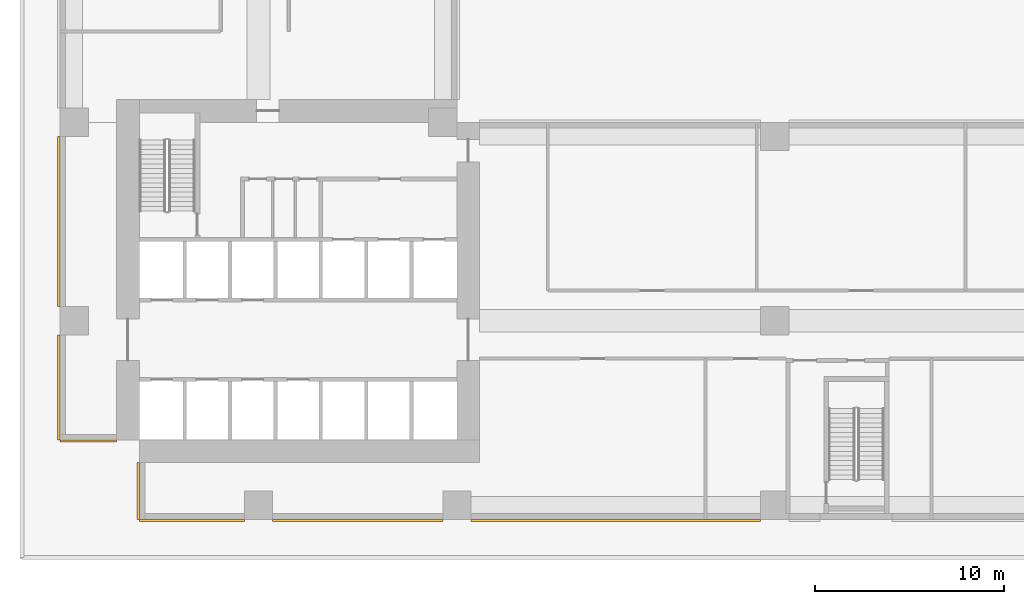
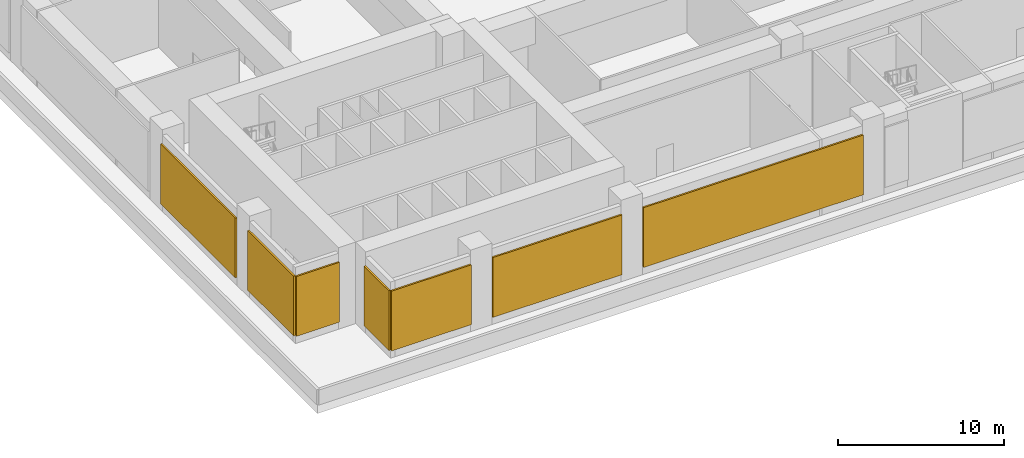
# One storey, part 6 of 11: 7 coverings.
"""IFC4 building model written with IfcOpenShell, lengths in metres."""

from ifc_helpers import new_model, si_unit, direction, frame, origin, origin_2d, place, context, subcontext, project, spatial, rectangle, extrude, material, type_object, element, save


model = new_model("IFC4")

# Units and contexts
model_context = context("Model", 3, precision=1e-05, world=origin(), true_north=direction((0.0, 1.0)))
body_context = subcontext(model_context, "Body", "Model", "MODEL_VIEW")
ifc_project = project(units=[si_unit("LENGTHUNIT", "METRE"), si_unit("AREAUNIT", "SQUARE_METRE"), si_unit("VOLUMEUNIT", "CUBIC_METRE"), si_unit("PLANEANGLEUNIT", "RADIAN"), si_unit("MASSUNIT", "GRAM", prefix="KILO")], contexts=[model_context])

# Site, building, storey
site_placement = place(None, origin())
site = spatial("IfcSite", under=ifc_project, at=site_placement, CompositionType="ELEMENT")
building_placement = place(site_placement, origin())
building = spatial("IfcBuilding", under=site, at=building_placement, Name="Aurelian Terraces", CompositionType="ELEMENT")
storey_placement = place(building_placement, frame((0.0, 0.0, 34.5)))
storey = spatial("IfcBuildingStorey", under=building, at=storey_placement, Name="L06", CompositionType="ELEMENT", Elevation=34.5)

# Coverings
ifc_material = material(Name="Terracotta rainscreen cladding louvre blades", Category="masonry")
covering_type = type_object("IfcCoveringType", Name="LOUVRE-TC", PredefinedType="CLADDING", material=ifc_material)
covering_1_placement = place(storey_placement, frame((6.975, -0.06, 0.6), z_axis=(0.0, 0.0, 1.0), x_axis=(1.0, 0.0, 0.0)))
element("IfcCovering", 1, at=covering_1_placement, inside=storey, type_object=covering_type, Name="LOUVRE L06 F01", PredefinedType="CLADDING", context=body_context, shape_type="SweptSolid", body=[
    extrude(rectangle(XDim=5.55, YDim=0.12, at=origin_2d()), origin(), (0.0, 0.0, 1.0), 4.4),
])
covering_2_placement = place(storey_placement, frame((15.75, -0.06, 0.6), z_axis=(0.0, 0.0, 1.0), x_axis=(1.0, 0.0, 0.0)))
element("IfcCovering", 2, at=covering_2_placement, inside=storey, type_object=covering_type, Name="LOUVRE L06 F01", PredefinedType="CLADDING", context=body_context, shape_type="SweptSolid", body=[
    extrude(rectangle(XDim=9.0, YDim=0.12, at=origin_2d()), origin(), (0.0, 0.0, 1.0), 4.4),
])
covering_3_placement = place(storey_placement, frame((29.4, -0.06, 0.6), z_axis=(0.0, 0.0, 1.0), x_axis=(1.0, 0.0, 0.0)))
element("IfcCovering", 3, at=covering_3_placement, inside=storey, type_object=covering_type, Name="LOUVRE L06 F01", PredefinedType="CLADDING", context=body_context, shape_type="SweptSolid", body=[
    extrude(rectangle(XDim=15.3, YDim=0.12, at=origin_2d()), origin(), (0.0, 0.0, 1.0), 4.4),
])
covering_4_placement = place(storey_placement, frame((-0.06, 15.75, 0.6), z_axis=(0.0, 0.0, 1.0), x_axis=(1.0, 0.0, 0.0)))
element("IfcCovering", 4, at=covering_4_placement, inside=storey, type_object=covering_type, Name="LOUVRE L06 F14", PredefinedType="CLADDING", context=body_context, shape_type="SweptSolid", body=[
    extrude(rectangle(XDim=0.12, YDim=9.0, at=origin_2d()), origin(), (0.0, 0.0, 1.0), 4.4),
])
covering_5_placement = place(storey_placement, frame((-0.06, 6.975, 0.6), z_axis=(0.0, 0.0, 1.0), x_axis=(1.0, 0.0, 0.0)))
element("IfcCovering", 5, at=covering_5_placement, inside=storey, type_object=covering_type, Name="LOUVRE L06 F14", PredefinedType="CLADDING", context=body_context, shape_type="SweptSolid", body=[
    extrude(rectangle(XDim=0.12, YDim=5.55, at=origin_2d()), origin(), (0.0, 0.0, 1.0), 4.4),
])
covering_6_placement = place(storey_placement, frame((1.5, 4.14, 0.6), z_axis=(0.0, 0.0, 1.0), x_axis=(1.0, 0.0, 0.0)))
element("IfcCovering", 6, at=covering_6_placement, inside=storey, type_object=covering_type, Name="LOUVRE L06 F15", PredefinedType="CLADDING", context=body_context, shape_type="SweptSolid", body=[
    extrude(rectangle(XDim=3.0, YDim=0.12, at=origin_2d()), origin(), (0.0, 0.0, 1.0), 4.4),
])
covering_7_placement = place(storey_placement, frame((4.14, 1.5, 0.6), z_axis=(0.0, 0.0, 1.0), x_axis=(1.0, 0.0, 0.0)))
element("IfcCovering", 7, at=covering_7_placement, inside=storey, type_object=covering_type, Name="LOUVRE L06 F16", PredefinedType="CLADDING", context=body_context, shape_type="SweptSolid", body=[
    extrude(rectangle(XDim=0.12, YDim=3.0, at=origin_2d()), origin(), (0.0, 0.0, 1.0), 4.4),
])

save(model, "model.ifc")
